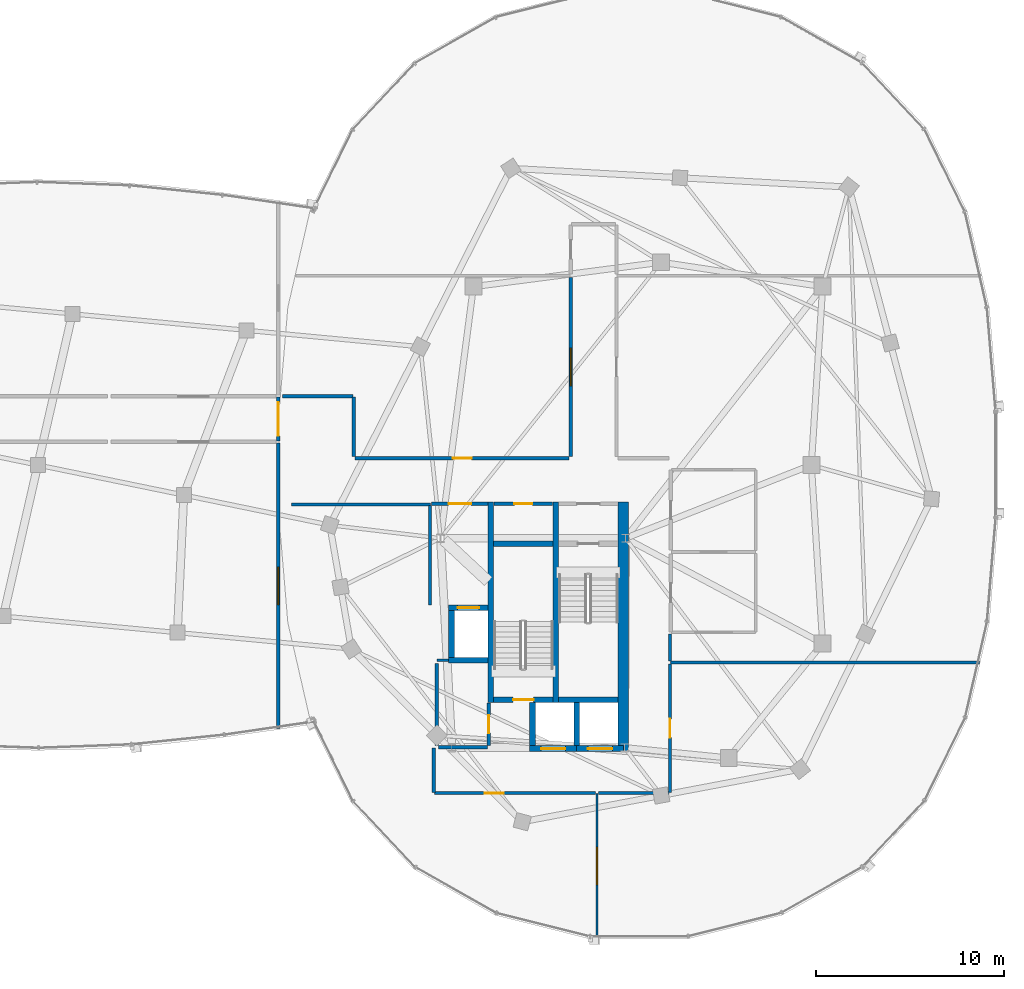
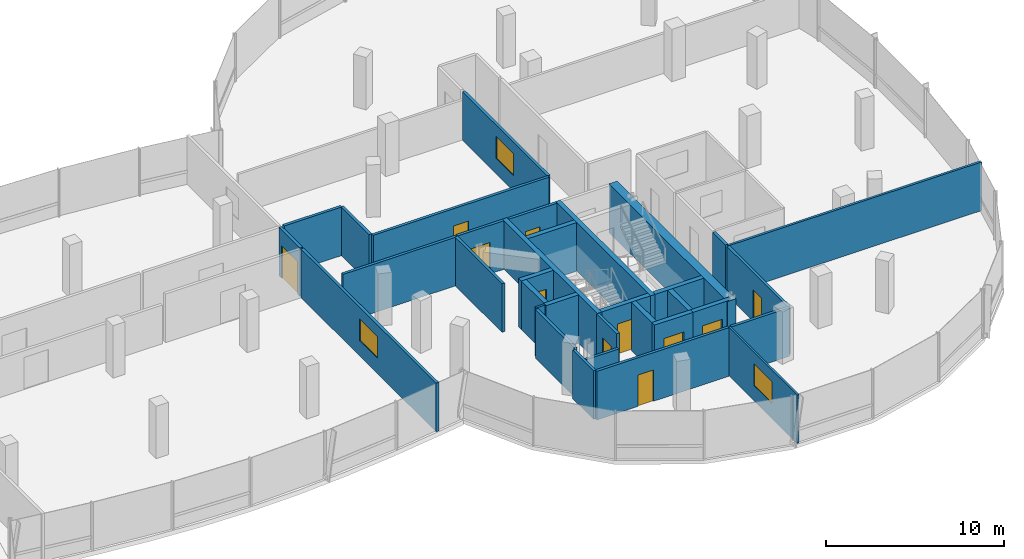
# One storey, part 16 of 25: 34 walls, 11 doors, 3 windows, 14 openings.
"""IFC4 building model written with IfcOpenShell, lengths in metres."""

from ifc_helpers import new_model, si_unit, direction, frame, frame_2d, origin, place, context, subcontext, project, spatial, rectangle, extrude, material, layer, layer_set, type_object, element, fill, save


model = new_model("IFC4")

# Units and contexts
model_context = context("Model", 3, precision=1e-05, world=origin(), true_north=direction((0.0, 1.0)))
body_context = subcontext(model_context, "Body", "Model", "MODEL_VIEW")
ifc_project = project(units=[si_unit("LENGTHUNIT", "METRE"), si_unit("AREAUNIT", "SQUARE_METRE"), si_unit("VOLUMEUNIT", "CUBIC_METRE"), si_unit("PLANEANGLEUNIT", "RADIAN"), si_unit("MASSUNIT", "GRAM", prefix="KILO"), si_unit("THERMODYNAMICTEMPERATUREUNIT", "KELVIN"), si_unit("POWERUNIT", "WATT")], contexts=[model_context])

# Site, building, storey
site_placement = place(None, origin())
site = spatial("IfcSite", under=ifc_project, at=site_placement, CompositionType="ELEMENT")
building_placement = place(site_placement, origin())
building = spatial("IfcBuilding", under=site, at=building_placement, Name="Cundina Bronze Exchange", CompositionType="ELEMENT")
storey_placement = place(building_placement, frame((0.0, 0.0, 257.60009765625)))
storey = spatial("IfcBuildingStorey", under=building, at=storey_placement, Name="L68", CompositionType="ELEMENT", Elevation=257.60009765625)

# Wall
ifc_material_1 = material(Name="Gypsum Fireboard Partition EI120")
ifc_layer_1 = layer(ifc_material_1, 0.179931640625, Name="Gypsum Fireboard Partition EI120")
ifc_layer_set_1 = layer_set([ifc_layer_1], Name="Gypsum Fireboard Partition EI120")
wall_type_1 = type_object("IfcWallType", Name="WL-COR-180", PredefinedType="PARTITIONING", material=ifc_layer_set_1)
wall_1_placement = place(storey_placement, frame((20.889892578125, -7.449951171875, 0.0), z_axis=(0.0, 0.0, 1.0), x_axis=(0.0, 1.0, 0.0)))
element("IfcWall", 1, at=wall_1_placement, inside=storey, type_object=wall_type_1, Name="L68 E Firefighting Lobby Side Wall", PredefinedType="PARTITIONING", context=body_context, shape_type="SweptSolid", body=[
    extrude(rectangle(XDim=5.300048828125, YDim=0.179931640625, at=frame_2d((2.64990234375, 0.0))), origin(), (0.0, 0.0, 1.0), 3.33984375),
])

# Wall, opening, door
wall_2_placement = place(storey_placement, frame((20.97998046875, -2.06005859375, 0.0), z_axis=(0.0, 0.0, 1.0), x_axis=(1.0, 0.0, 0.0)))
wall_2 = element("IfcWall", 2, at=wall_2_placement, inside=storey, type_object=wall_type_1, Name="L68 E Firefighting Lobby Exit Wall", PredefinedType="PARTITIONING", context=body_context, shape_type="SweptSolid", body=[
    extrude(rectangle(XDim=3.0, YDim=0.179931640625, at=frame_2d((1.5, 0.0))), origin(), (0.0, 0.0, 1.0), 3.33984375),
])
opening_1_placement = place(wall_2_placement, frame((0.89990234375, 0.0, 0.0)))
opening_1 = element("IfcOpeningElement", 3, at=opening_1_placement, cuts=wall_2, Name="Opening DF-01", PredefinedType="OPENING", context=body_context, shape_type="SweptSolid", body=[
    extrude(rectangle(XDim=1.199951171875, YDim=2.14990234375, at=frame_2d((0.60009765625, 1.074951171875))), frame((0.0, 0.099853515625, 0.0), z_axis=(0.0, -1.0, 0.0), x_axis=(1.0, 0.0, 0.0)), (0.0, 0.0, 1.0), 0.199951171875),
])
ifc_material_2 = material(Name="Steel ASTM A36 Painted", Category="steel")
door_type_1 = type_object("IfcDoorType", Name="DR-FFL-1200", OperationType="NOTDEFINED", PredefinedType="DOOR", material=ifc_material_2)
door_1_placement = place(opening_1_placement, origin())
door_1 = element("IfcDoor", 4, at=door_1_placement, inside=storey, type_object=door_type_1, Name="L68 E Firefighting Lobby Door", OperationType="SINGLE_SWING_LEFT", OverallHeight=2.14990234375, OverallWidth=1.199951171875, PredefinedType="DOOR", context=body_context, shape_type="SweptSolid", body=[
    extrude(rectangle(XDim=1.199951171875, YDim=2.14990234375, at=frame_2d((0.60009765625, 1.074951171875))), frame((0.0, 0.02490234375, 0.0), z_axis=(0.0, -1.0, 0.0), x_axis=(1.0, 0.0, 0.0)), (0.0, 0.0, 1.0), 0.050048828125),
])
fill(opening_1, door_1)

# Walls
wall_3_placement = place(storey_placement, frame((21.25, -14.929931640625, 0.0), z_axis=(0.0, 0.0, 1.0), x_axis=(0.0, 1.0, 0.0)))
element("IfcWall", 5, at=wall_3_placement, inside=storey, type_object=wall_type_1, Name="L68 Interior Partition 040", PredefinedType="PARTITIONING", context=body_context, shape_type="SweptSolid", body=[
    extrude(rectangle(XDim=4.35986328125, YDim=0.179931640625, at=frame_2d((2.179931640625, 0.0))), origin(), (0.0, 0.0, 1.0), 3.33984375),
])
wall_4_placement = place(storey_placement, frame((21.35009765625, -15.030029296875, 0.0), z_axis=(0.0, 0.0, 1.0), x_axis=(1.0, 0.0, 0.0)))
element("IfcWall", 6, at=wall_4_placement, inside=storey, type_object=wall_type_1, Name="L68 Interior Partition 041", PredefinedType="PARTITIONING", context=body_context, shape_type="SweptSolid", body=[
    extrude(rectangle(XDim=2.60986328125, YDim=0.179931640625, at=frame_2d((1.304931640625, 0.0))), origin(), (0.0, 0.0, 1.0), 2.412841796875),
])

# Wall, opening, door
wall_5_placement = place(storey_placement, frame((24.300048828125, -2.070068359375, 0.0), z_axis=(0.0, 0.0, 1.0), x_axis=(1.0, 0.0, 0.0)))
wall_5 = element("IfcWall", 7, at=wall_5_placement, inside=storey, type_object=wall_type_1, Name="L68 Interior Partition 042", PredefinedType="PARTITIONING", context=body_context, shape_type="SweptSolid", body=[
    extrude(rectangle(XDim=3.119873046875, YDim=0.179931640625, at=frame_2d((1.56005859375, 0.0))), origin(), (0.0, 0.0, 1.0), 3.33984375),
])
opening_2_placement = place(wall_5_placement, frame((1.0849609375, 0.0, 0.0)))
opening_2 = element("IfcOpeningElement", 8, at=opening_2_placement, cuts=wall_5, Name="Opening DW-01", PredefinedType="OPENING", context=body_context, shape_type="SweptSolid", body=[
    extrude(rectangle(XDim=0.949951171875, YDim=2.10009765625, at=frame_2d((0.47509765625, 1.050048828125))), frame((0.0, 0.099853515625, 0.0), z_axis=(0.0, -1.0, 0.0), x_axis=(1.0, 0.0, 0.0)), (0.0, 0.0, 1.0), 0.199951171875),
])
ifc_material_3 = material(Name="Solid Andean Oak Timber Grade A", Category="wood")
door_type_2 = type_object("IfcDoorType", Name="DR-WC-950", OperationType="NOTDEFINED", PredefinedType="DOOR", material=ifc_material_3)
door_2_placement = place(opening_2_placement, origin())
door_2 = element("IfcDoor", 9, at=door_2_placement, inside=storey, type_object=door_type_2, Name="L68 Interior Door 042", OperationType="SINGLE_SWING_LEFT", OverallHeight=2.10009765625, OverallWidth=0.949951171875, PredefinedType="DOOR", context=body_context, shape_type="SweptSolid", body=[
    extrude(rectangle(XDim=0.949951171875, YDim=2.10009765625, at=frame_2d((0.47509765625, 1.050048828125))), frame((0.0, 0.02490234375, 0.0), z_axis=(0.0, -1.0, 0.0), x_axis=(1.0, 0.0, 0.0)), (0.0, 0.0, 1.0), 0.050048828125),
])
fill(opening_2, door_2)

wall_6_placement = place(storey_placement, frame((24.02001953125, -14.929931640625, 0.0), z_axis=(0.0, 0.0, 1.0), x_axis=(0.0, 1.0, 0.0)))
wall_6 = element("IfcWall", 10, at=wall_6_placement, inside=storey, type_object=wall_type_1, Name="L68 Interior Partition 043", PredefinedType="PARTITIONING", context=body_context, shape_type="SweptSolid", body=[
    extrude(rectangle(XDim=2.260009765625, YDim=0.179931640625, at=frame_2d((1.1298828125, 0.0))), origin(), (0.0, 0.0, 1.0), 3.33984375),
])
opening_3_placement = place(wall_6_placement, frame((0.655029296875, 0.0, 0.0)))
opening_3 = element("IfcOpeningElement", 11, at=opening_3_placement, cuts=wall_6, Name="Opening DW-01", PredefinedType="OPENING", context=body_context, shape_type="SweptSolid", body=[
    extrude(rectangle(XDim=0.949951171875, YDim=2.10009765625, at=frame_2d((0.47509765625, 1.050048828125))), frame((0.0, 0.099853515625, 0.0), z_axis=(0.0, -1.0, 0.0), x_axis=(1.0, 0.0, 0.0)), (0.0, 0.0, 1.0), 0.199951171875),
])
door_3_placement = place(opening_3_placement, origin())
door_3 = element("IfcDoor", 12, at=door_3_placement, inside=storey, type_object=door_type_2, Name="L68 Interior Door 043", OperationType="SINGLE_SWING_LEFT", OverallHeight=2.10009765625, OverallWidth=0.949951171875, PredefinedType="DOOR", context=body_context, shape_type="SweptSolid", body=[
    extrude(rectangle(XDim=0.949951171875, YDim=2.10009765625, at=frame_2d((0.47509765625, 1.050048828125))), frame((0.0, 0.02490234375, 0.0), z_axis=(0.0, -1.0, 0.0), x_axis=(1.0, 0.0, 0.0)), (0.0, 0.0, 1.0), 0.050048828125),
])
fill(opening_3, door_3)

wall_7_placement = place(storey_placement, frame((33.669921875, -17.428466796875, 0.0), z_axis=(0.0, 0.0, 1.0), x_axis=(0.0, 1.0, 0.0)))
wall_7 = element("IfcWall", 13, at=wall_7_placement, inside=storey, type_object=wall_type_1, Name="L68 Interior Partition 055", PredefinedType="PARTITIONING", context=body_context, shape_type="SweptSolid", body=[
    extrude(rectangle(XDim=6.818359375, YDim=0.179931640625, at=frame_2d((3.4091796875, 0.0))), origin(), (0.0, 0.0, 1.0), 3.33984375),
])
opening_4_placement = place(wall_7_placement, frame((2.9091796875, 0.0, 0.0)))
opening_4 = element("IfcOpeningElement", 14, at=opening_4_placement, cuts=wall_7, Name="Opening DO-01", PredefinedType="OPENING", context=body_context, shape_type="SweptSolid", body=[
    extrude(rectangle(XDim=1.0, YDim=2.14990234375, at=frame_2d((0.5, 1.074951171875))), frame((0.0, 0.099853515625, 0.0), z_axis=(0.0, -1.0, 0.0), x_axis=(1.0, 0.0, 0.0)), (0.0, 0.0, 1.0), 0.199951171875),
])
door_type_3 = type_object("IfcDoorType", Name="DR-OFF-1000", OperationType="NOTDEFINED", PredefinedType="DOOR", material=ifc_material_3)
door_4_placement = place(opening_4_placement, origin())
door_4 = element("IfcDoor", 15, at=door_4_placement, inside=storey, type_object=door_type_3, Name="L68 Interior Door 055", OperationType="SINGLE_SWING_RIGHT", OverallHeight=2.14990234375, OverallWidth=1.0, PredefinedType="DOOR", context=body_context, shape_type="SweptSolid", body=[
    extrude(rectangle(XDim=1.0, YDim=2.14990234375, at=frame_2d((0.5, 1.074951171875))), frame((0.0, 0.02490234375, 0.0), z_axis=(0.0, -1.0, 0.0), x_axis=(1.0, 0.0, 0.0)), (0.0, 0.0, 1.0), 0.050048828125),
])
fill(opening_4, door_4)

# Wall
wall_8_placement = place(storey_placement, frame((29.8701171875, -17.469970703125, 0.0), z_axis=(0.0, 0.0, 1.0), x_axis=(1.0, 0.0, 0.0)))
element("IfcWall", 16, at=wall_8_placement, inside=storey, type_object=wall_type_1, Name="L68 Interior Partition 056", PredefinedType="PARTITIONING", context=body_context, shape_type="SweptSolid", body=[
    extrude(rectangle(XDim=3.75830078125, YDim=0.179931640625, at=frame_2d((1.879150390625, 0.0))), origin(), (0.0, 0.0, 1.0), 3.33984375),
])

# Wall, opening, door
wall_9_placement = place(storey_placement, frame((21.12158203125, -17.469970703125, 0.0), z_axis=(0.0, 0.0, 1.0), x_axis=(1.0, 0.0, 0.0)))
wall_9 = element("IfcWall", 17, at=wall_9_placement, inside=storey, type_object=wall_type_1, Name="L68 Interior Partition 057", PredefinedType="PARTITIONING", context=body_context, shape_type="SweptSolid", body=[
    extrude(rectangle(XDim=8.568359375, YDim=0.179931640625, at=frame_2d((4.2841796875, 0.0))), origin(), (0.0, 0.0, 1.0), 3.33984375),
])
opening_5_placement = place(wall_9_placement, frame((2.68505859375, 0.0, 0.0)))
opening_5 = element("IfcOpeningElement", 18, at=opening_5_placement, cuts=wall_9, Name="Opening DO-01", PredefinedType="OPENING", context=body_context, shape_type="SweptSolid", body=[
    extrude(rectangle(XDim=1.0, YDim=2.14990234375, at=frame_2d((0.5, 1.074951171875))), frame((0.0, 0.099853515625, 0.0), z_axis=(0.0, -1.0, 0.0), x_axis=(1.0, 0.0, 0.0)), (0.0, 0.0, 1.0), 0.199951171875),
])
door_5_placement = place(opening_5_placement, origin())
door_5 = element("IfcDoor", 19, at=door_5_placement, inside=storey, type_object=door_type_3, Name="L68 Interior Door 057", OperationType="SINGLE_SWING_LEFT", OverallHeight=2.14990234375, OverallWidth=1.0, PredefinedType="DOOR", context=body_context, shape_type="SweptSolid", body=[
    extrude(rectangle(XDim=1.0, YDim=2.14990234375, at=frame_2d((0.5, 1.074951171875))), frame((0.0, 0.02490234375, 0.0), z_axis=(0.0, -1.0, 0.0), x_axis=(1.0, 0.0, 0.0)), (0.0, 0.0, 1.0), 0.050048828125),
])
fill(opening_5, door_5)

# Walls
wall_10_placement = place(storey_placement, frame((13.521484375, -2.10009765625, 0.0), z_axis=(0.0, 0.0, 1.0), x_axis=(1.0, 0.0, 0.0)))
element("IfcWall", 20, at=wall_10_placement, inside=storey, type_object=wall_type_1, Name="L68 Interior Partition 058", PredefinedType="PARTITIONING", context=body_context, shape_type="SweptSolid", body=[
    extrude(rectangle(XDim=7.3984375, YDim=0.179931640625, at=frame_2d((3.69921875, 0.0))), origin(), (0.0, 0.0, 1.0), 3.33984375),
])
wall_11_placement = place(storey_placement, frame((21.080078125, -15.071533203125, 0.0), z_axis=(0.0, 0.0, 1.0), x_axis=(0.0, -1.0, 0.0)))
element("IfcWall", 21, at=wall_11_placement, inside=storey, type_object=wall_type_1, Name="L68 Interior Partition 059", PredefinedType="PARTITIONING", context=body_context, shape_type="SweptSolid", body=[
    extrude(rectangle(XDim=2.35693359375, YDim=0.179931640625, at=frame_2d((1.178466796875, 0.0))), origin(), (0.0, 0.0, 1.0), 3.33984375),
])
wall_12_placement = place(storey_placement, frame((33.669921875, -10.429931640625, 0.0), z_axis=(0.0, 0.0, 1.0), x_axis=(0.0, 1.0, 0.0)))
element("IfcWall", 22, at=wall_12_placement, inside=storey, type_object=wall_type_1, Name="L68 Interior Partition 062", PredefinedType="PARTITIONING", context=body_context, shape_type="SweptSolid", body=[
    extrude(rectangle(XDim=1.428466796875, YDim=0.179931640625, at=frame_2d((0.71435546875, 0.0))), origin(), (0.0, 0.0, 1.0), 3.33984375),
])

# Wall, opening, door
wall_13_placement = place(storey_placement, frame((28.300048828125, 0.3701171875, 0.0), z_axis=(0.0, 0.0, 1.0), x_axis=(-1.0, 0.0, 0.0)))
wall_13 = element("IfcWall", 23, at=wall_13_placement, inside=storey, type_object=wall_type_1, Name="L68 Interior Partition 063", PredefinedType="PARTITIONING", context=body_context, shape_type="SweptSolid", body=[
    extrude(rectangle(XDim=11.400146484375, YDim=0.179931640625, at=frame_2d((5.7001953125, 0.0))), origin(), (0.0, 0.0, 1.0), 3.33984375),
])
opening_6_placement = place(wall_13_placement, frame((5.199951171875, 0.0, 0.0)))
opening_6 = element("IfcOpeningElement", 24, at=opening_6_placement, cuts=wall_13, Name="Opening DO-01", PredefinedType="OPENING", context=body_context, shape_type="SweptSolid", body=[
    extrude(rectangle(XDim=1.0, YDim=2.14990234375, at=frame_2d((0.5, 1.074951171875))), frame((0.0, 0.099853515625, 0.0), z_axis=(0.0, -1.0, 0.0), x_axis=(1.0, 0.0, 0.0)), (0.0, 0.0, 1.0), 0.199951171875),
])
door_6_placement = place(opening_6_placement, origin())
door_6 = element("IfcDoor", 25, at=door_6_placement, inside=storey, type_object=door_type_3, Name="L68 Interior Door 063", OperationType="SINGLE_SWING_RIGHT", OverallHeight=2.14990234375, OverallWidth=1.0, PredefinedType="DOOR", context=body_context, shape_type="SweptSolid", body=[
    extrude(rectangle(XDim=1.0, YDim=2.14990234375, at=frame_2d((0.5, 1.074951171875))), frame((0.0, 0.02490234375, 0.0), z_axis=(0.0, -1.0, 0.0), x_axis=(1.0, 0.0, 0.0)), (0.0, 0.0, 1.0), 0.050048828125),
])
fill(opening_6, door_6)

# Wall, opening, window
wall_14_placement = place(storey_placement, frame((28.3798828125, 9.989990234375, 0.0), z_axis=(0.0, 0.0, 1.0), x_axis=(0.0, -1.0, 0.0)))
wall_14 = element("IfcWall", 26, at=wall_14_placement, inside=storey, type_object=wall_type_1, Name="L68 Interior Partition 064", PredefinedType="PARTITIONING", context=body_context, shape_type="SweptSolid", body=[
    extrude(rectangle(XDim=9.5400390625, YDim=0.179931640625, at=frame_2d((4.77001953125, 0.0))), origin(), (0.0, 0.0, 1.0), 3.33984375),
])
opening_7_placement = place(wall_14_placement, frame((3.77001953125, 0.0, 1.050048828125)))
opening_7 = element("IfcOpeningElement", 27, at=opening_7_placement, cuts=wall_14, Name="Opening WI-01", PredefinedType="OPENING", context=body_context, shape_type="SweptSolid", body=[
    extrude(rectangle(XDim=2.0, YDim=1.5, at=frame_2d((1.0, 0.75))), frame((0.0, 0.099853515625, 0.0), z_axis=(0.0, -1.0, 0.0), x_axis=(1.0, 0.0, 0.0)), (0.0, 0.0, 1.0), 0.199951171875),
])
ifc_material_4 = material(Name="Clear Low-E Insulating Glass 26mm", Category="glass")
window_type = type_object("IfcWindowType", Name="WN-INT-2000", PartitioningType="SINGLE_PANEL", PredefinedType="WINDOW", material=ifc_material_4)
window_1_placement = place(opening_7_placement, origin())
window_1 = element("IfcWindow", 28, at=window_1_placement, inside=storey, type_object=window_type, Name="L68 Interior Acoustic Vision Window 064", OverallHeight=1.5, OverallWidth=2.0, PartitioningType="SINGLE_PANEL", PredefinedType="WINDOW", context=body_context, shape_type="SweptSolid", body=[
    extrude(rectangle(XDim=2.0, YDim=1.5, at=frame_2d((1.0, 0.75))), frame((0.0, 0.030029296875, 0.0), z_axis=(0.0, -1.0, 0.0), x_axis=(1.0, 0.0, 0.0)), (0.0, 0.0, 1.0), 0.06005859375),
])
fill(opening_7, window_1)

# Walls
wall_15_placement = place(storey_placement, frame((16.778564453125, 3.669921875, 0.0), z_axis=(0.0, 0.0, 1.0), x_axis=(-1.0, 0.0, 0.0)))
element("IfcWall", 29, at=wall_15_placement, inside=storey, type_object=wall_type_1, Name="L68 Interior Partition 065", PredefinedType="PARTITIONING", context=body_context, shape_type="SweptSolid", body=[
    extrude(rectangle(XDim=3.7529296875, YDim=0.179931640625, at=frame_2d((1.87646484375, 0.0))), origin(), (0.0, 0.0, 1.0), 3.33984375),
])
wall_16_placement = place(storey_placement, frame((16.820068359375, 0.449951171875, 0.0), z_axis=(0.0, 0.0, 1.0), x_axis=(0.0, 1.0, 0.0)))
element("IfcWall", 30, at=wall_16_placement, inside=storey, type_object=wall_type_1, Name="L68 Interior Partition 066", PredefinedType="PARTITIONING", context=body_context, shape_type="SweptSolid", body=[
    extrude(rectangle(XDim=3.178466796875, YDim=0.179931640625, at=frame_2d((1.58935546875, 0.0))), origin(), (0.0, 0.0, 1.0), 3.33984375),
])

# Wall, opening, window
wall_17_placement = place(storey_placement, frame((12.800048828125, -14.043701171875, 0.0), z_axis=(0.0, 0.0, 1.0), x_axis=(0.0, 1.0, 0.0)))
wall_17 = element("IfcWall", 31, at=wall_17_placement, inside=storey, type_object=wall_type_1, Name="L68 Interior Partition 078", PredefinedType="PARTITIONING", context=body_context, shape_type="SweptSolid", body=[
    extrude(rectangle(XDim=15.20361328125, YDim=0.179931640625, at=frame_2d((7.601806640625, 0.0))), origin(), (0.0, 0.0, 1.0), 3.33984375),
])
opening_8_placement = place(wall_17_placement, frame((6.60205078125, 0.0, 1.050048828125)))
opening_8 = element("IfcOpeningElement", 32, at=opening_8_placement, cuts=wall_17, Name="Opening WI-01", PredefinedType="OPENING", context=body_context, shape_type="SweptSolid", body=[
    extrude(rectangle(XDim=2.0, YDim=1.5, at=frame_2d((1.0, 0.75))), frame((0.0, 0.099853515625, 0.0), z_axis=(0.0, -1.0, 0.0), x_axis=(1.0, 0.0, 0.0)), (0.0, 0.0, 1.0), 0.199951171875),
])
window_2_placement = place(opening_8_placement, origin())
window_2 = element("IfcWindow", 33, at=window_2_placement, inside=storey, type_object=window_type, Name="L68 Interior Acoustic Vision Window 078", OverallHeight=1.5, OverallWidth=2.0, PartitioningType="SINGLE_PANEL", PredefinedType="WINDOW", context=body_context, shape_type="SweptSolid", body=[
    extrude(rectangle(XDim=2.0, YDim=1.5, at=frame_2d((1.0, 0.75))), frame((0.0, 0.030029296875, 0.0), z_axis=(0.0, -1.0, 0.0), x_axis=(1.0, 0.0, 0.0)), (0.0, 0.0, 1.0), 0.06005859375),
])
fill(opening_8, window_2)

# Wall, opening, door
wall_18_placement = place(storey_placement, frame((12.800048828125, 1.280029296875, 0.0), z_axis=(0.0, 0.0, 1.0), x_axis=(0.0, 1.0, 0.0)))
wall_18 = element("IfcWall", 34, at=wall_18_placement, inside=storey, type_object=wall_type_1, Name="L68 Interior Partition 080", PredefinedType="PARTITIONING", context=body_context, shape_type="SweptSolid", body=[
    extrude(rectangle(XDim=2.340087890625, YDim=0.179931640625, at=frame_2d((1.169921875, 0.0))), origin(), (0.0, 0.0, 1.0), 3.33984375),
])
opening_9_placement = place(wall_18_placement, frame((0.27001953125, 0.0, 0.0)))
opening_9 = element("IfcOpeningElement", 35, at=opening_9_placement, cuts=wall_18, Name="Opening DB-01", PredefinedType="OPENING", context=body_context, shape_type="SweptSolid", body=[
    extrude(rectangle(XDim=1.800048828125, YDim=2.25, at=frame_2d((0.89990234375, 1.125))), frame((0.0, 0.099853515625, 0.0), z_axis=(0.0, -1.0, 0.0), x_axis=(1.0, 0.0, 0.0)), (0.0, 0.0, 1.0), 0.199951171875),
])
door_type_4 = type_object("IfcDoorType", Name="DR-BRG-1800", OperationType="NOTDEFINED", PredefinedType="DOOR", material=ifc_material_2)
door_7_placement = place(opening_9_placement, origin())
door_7 = element("IfcDoor", 36, at=door_7_placement, inside=storey, type_object=door_type_4, Name="L68 Interior Door 080", OperationType="DOUBLE_DOOR_SINGLE_SWING", OverallHeight=2.25, OverallWidth=1.800048828125, PredefinedType="DOOR", context=body_context, shape_type="SweptSolid", body=[
    extrude(rectangle(XDim=1.800048828125, YDim=2.25, at=frame_2d((0.89990234375, 1.125))), frame((0.0, 0.02490234375, 0.0), z_axis=(0.0, -1.0, 0.0), x_axis=(1.0, 0.0, 0.0)), (0.0, 0.0, 1.0), 0.050048828125),
])
fill(opening_9, door_7)

# Wall
ifc_material_5 = material(Name="Concrete C50/60", Category="concrete")
ifc_layer_2 = layer(ifc_material_5, 0.550048828125, Name="Concrete C50/60", Category="concrete")
ifc_layer_set_2 = layer_set([ifc_layer_2], Name="Concrete C50/60")
wall_type_2 = type_object("IfcWallType", Name="WL-CORE-550", PredefinedType="SHEAR", material=ifc_layer_set_2)
wall_19_placement = place(storey_placement, frame((31.175048828125, -15.300048828125, 0.0), z_axis=(0.0, 0.0, 1.0), x_axis=(0.0, 1.0, 0.0)))
element("IfcWall", 37, at=wall_19_placement, inside=storey, type_object=wall_type_2, Name="L68 E Primary Core Shear Spine Wall", PredefinedType="SHEAR", context=body_context, shape_type="SweptSolid", body=[
    extrude(rectangle(XDim=13.330078125, YDim=0.550048828125, at=frame_2d((6.6650390625, 0.0))), origin(), (0.0, 0.0, 1.0), 3.33984375),
])

# Wall, opening, window
ifc_material_6 = material(Name="Gypsum Acoustic Partition EI60")
ifc_layer_3 = layer(ifc_material_6, 0.125, Name="Gypsum Acoustic Partition EI60")
ifc_layer_set_3 = layer_set([ifc_layer_3], Name="Gypsum Acoustic Partition EI60")
wall_type_3 = type_object("IfcWallType", Name="WL-OFF-125", PredefinedType="PARTITIONING", material=ifc_layer_set_3)
wall_20_placement = place(storey_placement, frame((29.780029296875, -25.18994140625, 0.0), z_axis=(0.0, 0.0, 1.0), x_axis=(0.0, 1.0, 0.0)))
wall_20 = element("IfcWall", 38, at=wall_20_placement, inside=storey, type_object=wall_type_3, Name="L68 Interior Partition 054", PredefinedType="PARTITIONING", context=body_context, shape_type="SweptSolid", body=[
    extrude(rectangle(XDim=7.68994140625, YDim=0.125, at=frame_2d((3.844970703125, 0.0))), origin(), (0.0, 0.0, 1.0), 3.33984375),
])
opening_10_placement = place(wall_20_placement, frame((2.844970703125, 0.0, 1.050048828125)))
opening_10 = element("IfcOpeningElement", 39, at=opening_10_placement, cuts=wall_20, Name="Opening WI-01", PredefinedType="OPENING", context=body_context, shape_type="SweptSolid", body=[
    extrude(rectangle(XDim=2.0, YDim=1.5, at=frame_2d((1.0, 0.75))), frame((0.0, 0.072509765625, 0.0), z_axis=(0.0, -1.0, 0.0), x_axis=(1.0, 0.0, 0.0)), (0.0, 0.0, 1.0), 0.14501953125),
])
window_3_placement = place(opening_10_placement, origin())
window_3 = element("IfcWindow", 40, at=window_3_placement, inside=storey, type_object=window_type, Name="L68 Interior Acoustic Vision Window 054", OverallHeight=1.5, OverallWidth=2.0, PartitioningType="SINGLE_PANEL", PredefinedType="WINDOW", context=body_context, shape_type="SweptSolid", body=[
    extrude(rectangle(XDim=2.0, YDim=1.5, at=frame_2d((1.0, 0.75))), frame((0.0, 0.030029296875, 0.0), z_axis=(0.0, -1.0, 0.0), x_axis=(1.0, 0.0, 0.0)), (0.0, 0.0, 1.0), 0.06005859375),
])
fill(opening_10, window_3)

# Walls
ifc_layer_4 = layer(ifc_material_5, 0.300048828125, Name="Concrete C50/60", Category="concrete")
ifc_layer_set_4 = layer_set([ifc_layer_4], Name="Concrete C50/60")
wall_type_4 = type_object("IfcWallType", Name="WL-SHFT-300", PredefinedType="SHEAR", material=ifc_layer_set_4)
for number, where, z_axis, x_axis, name in (
    (41, (27.590087890625, -12.64990234375, 0.0), (0.0, 0.0, 1.0), (0.0, 1.0, 0.0), "L68 E Stair Shaft Dividing Shear Wall"),
    (42, (24.1298828125, -12.64990234375, 0.0), (0.0, 0.0, 1.0), (0.0, 1.0, 0.0), "L68 E Stair 2 East Shear Wall"),
):
    element("IfcWall", number, at=place(storey_placement, frame(where, z_axis=z_axis, x_axis=x_axis)), inside=storey, type_object=wall_type_4, Name=name, PredefinedType="SHEAR", context=body_context, shape_type="SweptSolid", body=[
        extrude(rectangle(XDim=10.679931640625, YDim=0.300048828125, at=frame_2d((5.33984375, 0.0))), origin(), (0.0, 0.0, 1.0), 3.33984375),
    ])
wall_21_placement = place(storey_placement, frame((27.739990234375, -12.5, 0.0), z_axis=(0.0, 0.0, 1.0), x_axis=(1.0, 0.0, 0.0)))
element("IfcWall", 43, at=wall_21_placement, inside=storey, type_object=wall_type_4, Name="L68 Stair E1 Far Shaft Wall", PredefinedType="SHEAR", context=body_context, shape_type="SweptSolid", body=[
    extrude(rectangle(XDim=3.159912109375, YDim=0.300048828125, at=frame_2d((1.580078125, 0.0))), origin(), (0.0, 0.0, 1.0), 3.33984375),
])

# Wall, opening, door
wall_22_placement = place(storey_placement, frame((24.280029296875, -12.5, 0.0), z_axis=(0.0, 0.0, 1.0), x_axis=(1.0, 0.0, 0.0)))
wall_22 = element("IfcWall", 44, at=wall_22_placement, inside=storey, type_object=wall_type_4, Name="L68 Stair E2 Landing Wall", PredefinedType="SHEAR", context=body_context, shape_type="SweptSolid", body=[
    extrude(rectangle(XDim=3.159912109375, YDim=0.300048828125, at=frame_2d((1.580078125, 0.0))), origin(), (0.0, 0.0, 1.0), 3.33984375),
])
opening_11_placement = place(wall_22_placement, frame((1.030029296875, 0.0, 0.0)))
opening_11 = element("IfcOpeningElement", 45, at=opening_11_placement, cuts=wall_22, Name="Opening DS-01", PredefinedType="OPENING", context=body_context, shape_type="SweptSolid", body=[
    extrude(rectangle(XDim=1.10009765625, YDim=2.14990234375, at=frame_2d((0.550048828125, 1.074951171875))), frame((0.0, 0.159912109375, 0.0), z_axis=(0.0, -1.0, 0.0), x_axis=(1.0, 0.0, 0.0)), (0.0, 0.0, 1.0), 0.320068359375),
])
door_type_5 = type_object("IfcDoorType", Name="DR-STR-1100", OperationType="NOTDEFINED", PredefinedType="DOOR", material=ifc_material_2)
door_8_placement = place(opening_11_placement, origin())
door_8 = element("IfcDoor", 46, at=door_8_placement, inside=storey, type_object=door_type_5, Name="L68 Smokeproof Stair E2 Door", OperationType="SINGLE_SWING_RIGHT", OverallHeight=2.14990234375, OverallWidth=1.10009765625, PredefinedType="DOOR", context=body_context, shape_type="SweptSolid", body=[
    extrude(rectangle(XDim=1.10009765625, YDim=2.14990234375, at=frame_2d((0.550048828125, 1.074951171875))), frame((0.0, 0.02490234375, 0.0), z_axis=(0.0, -1.0, 0.0), x_axis=(1.0, 0.0, 0.0)), (0.0, 0.0, 1.0), 0.050048828125),
])
fill(opening_11, door_8)

# Wall
wall_23_placement = place(storey_placement, frame((24.280029296875, -4.199951171875, 0.0), z_axis=(0.0, 0.0, 1.0), x_axis=(1.0, 0.0, 0.0)))
element("IfcWall", 47, at=wall_23_placement, inside=storey, type_object=wall_type_4, Name="L68 Stair E2 Far Shaft Wall", PredefinedType="SHEAR", context=body_context, shape_type="SweptSolid", body=[
    extrude(rectangle(XDim=3.159912109375, YDim=0.300048828125, at=frame_2d((1.580078125, 0.0))), origin(), (0.0, 0.0, 1.0), 3.33984375),
])

# Wall, opening, door
wall_24_placement = place(storey_placement, frame((21.8798828125, -7.60009765625, 0.0), z_axis=(0.0, 0.0, 1.0), x_axis=(1.0, 0.0, 0.0)))
wall_24 = element("IfcWall", 48, at=wall_24_placement, inside=storey, type_object=wall_type_4, Name="L68 FFL-E Hoistway Front Wall", PredefinedType="SHEAR", context=body_context, shape_type="SweptSolid", body=[
    extrude(rectangle(XDim=2.10009765625, YDim=0.300048828125, at=frame_2d((1.050048828125, 0.0))), origin(), (0.0, 0.0, 1.0), 3.33984375),
])
opening_12_placement = place(wall_24_placement, frame((0.47509765625, 0.0, 0.0)))
opening_12 = element("IfcOpeningElement", 49, at=opening_12_placement, cuts=wall_24, Name="Opening LD-01", PredefinedType="OPENING", context=body_context, shape_type="SweptSolid", body=[
    extrude(rectangle(XDim=1.14990234375, YDim=2.199951171875, at=frame_2d((0.574951171875, 1.10009765625))), frame((0.0, 0.159912109375, 0.0), z_axis=(0.0, -1.0, 0.0), x_axis=(1.0, 0.0, 0.0)), (0.0, 0.0, 1.0), 0.320068359375),
])
door_type_6 = type_object("IfcDoorType", Name="DR-LND-1150", OperationType="NOTDEFINED", PredefinedType="TRAPDOOR", material=ifc_material_2)
door_9_placement = place(opening_12_placement, origin())
door_9 = element("IfcDoor", 50, at=door_9_placement, inside=storey, type_object=door_type_6, Name="L68 FFL-E Sliding Landing Door", OperationType="SLIDING_TO_LEFT", OverallHeight=2.199951171875, OverallWidth=1.14990234375, PredefinedType="TRAPDOOR", context=body_context, shape_type="SweptSolid", body=[
    extrude(rectangle(XDim=1.14990234375, YDim=2.199951171875, at=frame_2d((0.574951171875, 1.10009765625))), frame((0.0, 0.02490234375, 0.0), z_axis=(0.0, -1.0, 0.0), x_axis=(1.0, 0.0, 0.0)), (0.0, 0.0, 1.0), 0.050048828125),
])
fill(opening_12, door_9)

# Walls
wall_25_placement = place(storey_placement, frame((21.8798828125, -10.39990234375, 0.0), z_axis=(0.0, 0.0, 1.0), x_axis=(1.0, 0.0, 0.0)))
element("IfcWall", 51, at=wall_25_placement, inside=storey, type_object=wall_type_4, Name="L68 FFL-E Hoistway Back Wall", PredefinedType="SHEAR", context=body_context, shape_type="SweptSolid", body=[
    extrude(rectangle(XDim=2.10009765625, YDim=0.300048828125, at=frame_2d((1.050048828125, 0.0))), origin(), (0.0, 0.0, 1.0), 3.33984375),
])
wall_26_placement = place(storey_placement, frame((22.030029296875, -10.25, 0.0), z_axis=(0.0, 0.0, 1.0), x_axis=(0.0, 1.0, 0.0)))
element("IfcWall", 52, at=wall_26_placement, inside=storey, type_object=wall_type_4, Name="L68 FFL-E Hoistway Side Wall", PredefinedType="SHEAR", context=body_context, shape_type="SweptSolid", body=[
    extrude(rectangle(XDim=2.5, YDim=0.300048828125, at=frame_2d((1.25, 0.0))), origin(), (0.0, 0.0, 1.0), 3.33984375),
])

# Wall, opening, door
wall_27_placement = place(storey_placement, frame((28.699951171875, -15.10009765625, 0.0), z_axis=(0.0, 0.0, 1.0), x_axis=(1.0, 0.0, 0.0)))
wall_27 = element("IfcWall", 53, at=wall_27_placement, inside=storey, type_object=wall_type_4, Name="L68 PH-E1 Hoistway Front Wall", PredefinedType="SHEAR", context=body_context, shape_type="SweptSolid", body=[
    extrude(rectangle(XDim=2.5, YDim=0.300048828125, at=frame_2d((1.25, 0.0))), origin(), (0.0, 0.0, 1.0), 3.33984375),
])
opening_13_placement = place(wall_27_placement, frame((0.60009765625, 0.0, 0.0)))
opening_13 = element("IfcOpeningElement", 54, at=opening_13_placement, cuts=wall_27, Name="Opening LD-02", PredefinedType="OPENING", context=body_context, shape_type="SweptSolid", body=[
    extrude(rectangle(XDim=1.300048828125, YDim=2.199951171875, at=frame_2d((0.64990234375, 1.10009765625))), frame((0.0, 0.159912109375, 0.0), z_axis=(0.0, -1.0, 0.0), x_axis=(1.0, 0.0, 0.0)), (0.0, 0.0, 1.0), 0.320068359375),
])
door_type_7 = type_object("IfcDoorType", Name="DR-LND-1300", OperationType="NOTDEFINED", PredefinedType="TRAPDOOR", material=ifc_material_2)
door_10_placement = place(opening_13_placement, origin())
door_10 = element("IfcDoor", 55, at=door_10_placement, inside=storey, type_object=door_type_7, Name="L68 PH-E1 Sliding Landing Door", OperationType="SLIDING_TO_LEFT", OverallHeight=2.199951171875, OverallWidth=1.300048828125, PredefinedType="TRAPDOOR", context=body_context, shape_type="SweptSolid", body=[
    extrude(rectangle(XDim=1.300048828125, YDim=2.199951171875, at=frame_2d((0.64990234375, 1.10009765625))), frame((0.0, 0.02490234375, 0.0), z_axis=(0.0, -1.0, 0.0), x_axis=(1.0, 0.0, 0.0)), (0.0, 0.0, 1.0), 0.050048828125),
])
fill(opening_13, door_10)

# Wall
wall_28_placement = place(storey_placement, frame((28.699951171875, -14.949951171875, 0.0), z_axis=(0.0, 0.0, 1.0), x_axis=(0.0, 1.0, 0.0)))
element("IfcWall", 56, at=wall_28_placement, inside=storey, type_object=wall_type_4, Name="L68 PH-E1 Hoistway Divider Wall", PredefinedType="SHEAR", context=body_context, shape_type="SweptSolid", body=[
    extrude(rectangle(XDim=2.300048828125, YDim=0.300048828125, at=frame_2d((1.14990234375, 0.0))), origin(), (0.0, 0.0, 1.0), 3.33984375),
])

# Wall, opening, door
wall_29_placement = place(storey_placement, frame((26.199951171875, -15.10009765625, 0.0), z_axis=(0.0, 0.0, 1.0), x_axis=(1.0, 0.0, 0.0)))
wall_29 = element("IfcWall", 57, at=wall_29_placement, inside=storey, type_object=wall_type_4, Name="L68 PH-E2 Hoistway Front Wall", PredefinedType="SHEAR", context=body_context, shape_type="SweptSolid", body=[
    extrude(rectangle(XDim=2.5, YDim=0.300048828125, at=frame_2d((1.25, 0.0))), origin(), (0.0, 0.0, 1.0), 3.33984375),
])
opening_14_placement = place(wall_29_placement, frame((0.60009765625, 0.0, 0.0)))
opening_14 = element("IfcOpeningElement", 58, at=opening_14_placement, cuts=wall_29, Name="Opening LD-02", PredefinedType="OPENING", context=body_context, shape_type="SweptSolid", body=[
    extrude(rectangle(XDim=1.300048828125, YDim=2.199951171875, at=frame_2d((0.64990234375, 1.10009765625))), frame((0.0, 0.159912109375, 0.0), z_axis=(0.0, -1.0, 0.0), x_axis=(1.0, 0.0, 0.0)), (0.0, 0.0, 1.0), 0.320068359375),
])
door_11_placement = place(opening_14_placement, origin())
door_11 = element("IfcDoor", 59, at=door_11_placement, inside=storey, type_object=door_type_7, Name="L68 PH-E2 Sliding Landing Door", OperationType="SLIDING_TO_LEFT", OverallHeight=2.199951171875, OverallWidth=1.300048828125, PredefinedType="TRAPDOOR", context=body_context, shape_type="SweptSolid", body=[
    extrude(rectangle(XDim=1.300048828125, YDim=2.199951171875, at=frame_2d((0.64990234375, 1.10009765625))), frame((0.0, 0.02490234375, 0.0), z_axis=(0.0, -1.0, 0.0), x_axis=(1.0, 0.0, 0.0)), (0.0, 0.0, 1.0), 0.050048828125),
])
fill(opening_14, door_11)

# Walls
wall_30_placement = place(storey_placement, frame((26.35009765625, -14.949951171875, 0.0), z_axis=(0.0, 0.0, 1.0), x_axis=(0.0, 1.0, 0.0)))
element("IfcWall", 60, at=wall_30_placement, inside=storey, type_object=wall_type_4, Name="L68 PH-E2 Hoistway Divider Wall", PredefinedType="SHEAR", context=body_context, shape_type="SweptSolid", body=[
    extrude(rectangle(XDim=2.300048828125, YDim=0.300048828125, at=frame_2d((1.14990234375, 0.0))), origin(), (0.0, 0.0, 1.0), 3.33984375),
])
ifc_layer_5 = layer(ifc_material_6, 0.14990234375, Name="Gypsum Acoustic Partition EI60")
ifc_layer_set_5 = layer_set([ifc_layer_5], Name="Gypsum Acoustic Partition EI60")
wall_type_5 = type_object("IfcWallType", Name="WL-TEN-150", PredefinedType="PARTITIONING", material=ifc_layer_set_5)
wall_31_placement = place(storey_placement, frame((33.699951171875, -10.52001953125, 0.0), z_axis=(0.0, 0.0, 1.0), x_axis=(1.0, 0.0, 0.0)))
element("IfcWall", 61, at=wall_31_placement, inside=storey, type_object=wall_type_5, Name="L68 Interior Partition 053", PredefinedType="PARTITIONING", context=body_context, shape_type="SweptSolid", body=[
    extrude(rectangle(XDim=16.444091796875, YDim=0.14990234375, at=frame_2d((8.22216796875, 0.0))), origin(), (0.0, 0.0, 1.0), 3.33984375),
])
ifc_material_7 = material(Name="Moisture-Resistant Masonry Block Grade M15", Category="masonry")
ifc_layer_6 = layer(ifc_material_7, 0.139892578125, Name="Moisture-Resistant Masonry Block Grade M15", Category="masonry")
ifc_layer_set_6 = layer_set([ifc_layer_6], Name="Moisture-Resistant Masonry Block Grade M15")
wall_type_6 = type_object("IfcWallType", Name="WL-WET-140", PredefinedType="PARTITIONING", material=ifc_layer_set_6)
wall_32_placement = place(storey_placement, frame((21.27001953125, -10.39990234375, 0.0), z_axis=(0.0, 0.0, 1.0), x_axis=(1.0, 0.0, 0.0)))
element("IfcWall", 62, at=wall_32_placement, inside=storey, type_object=wall_type_6, Name="L68 Interior Partition 039", PredefinedType="PARTITIONING", context=body_context, shape_type="SweptSolid", body=[
    extrude(rectangle(XDim=0.590087890625, YDim=0.139892578125, at=frame_2d((0.294921875, 0.0))), origin(), (0.0, 0.0, 1.0), 3.33984375),
])

save(model, "model.ifc")
